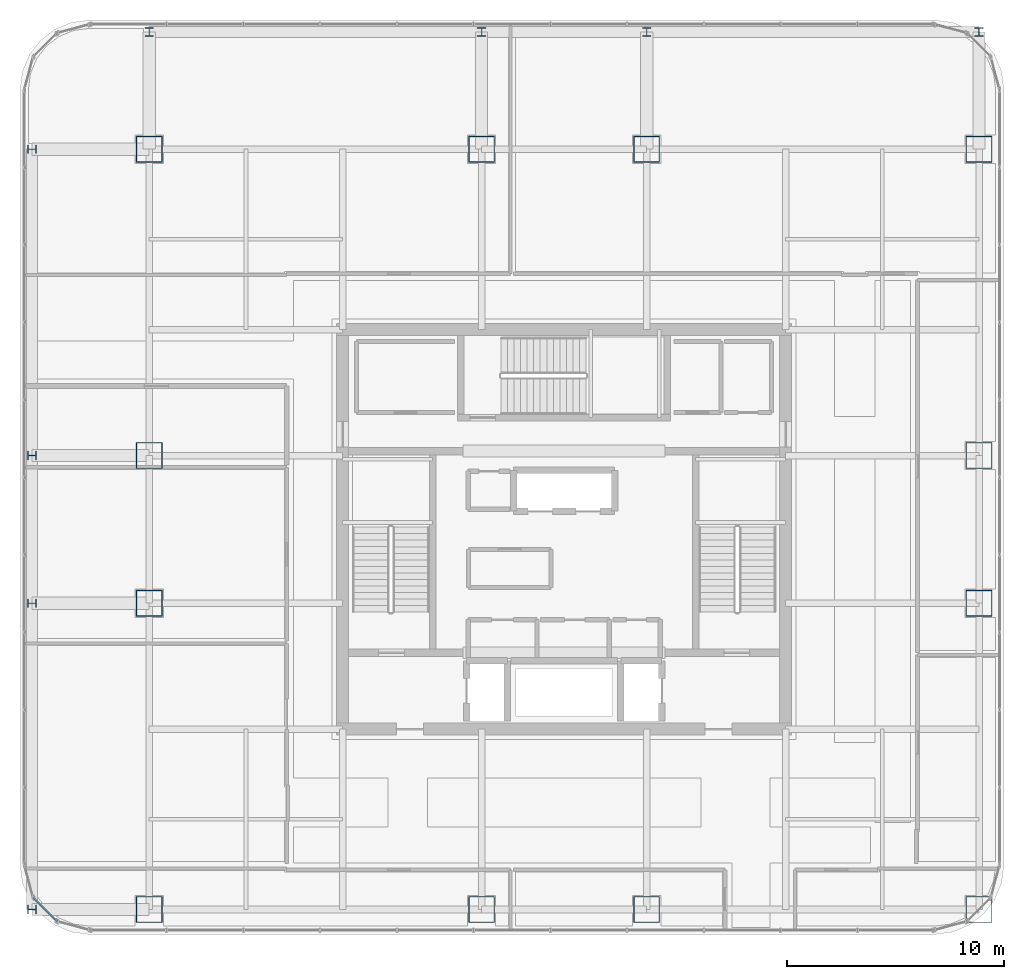
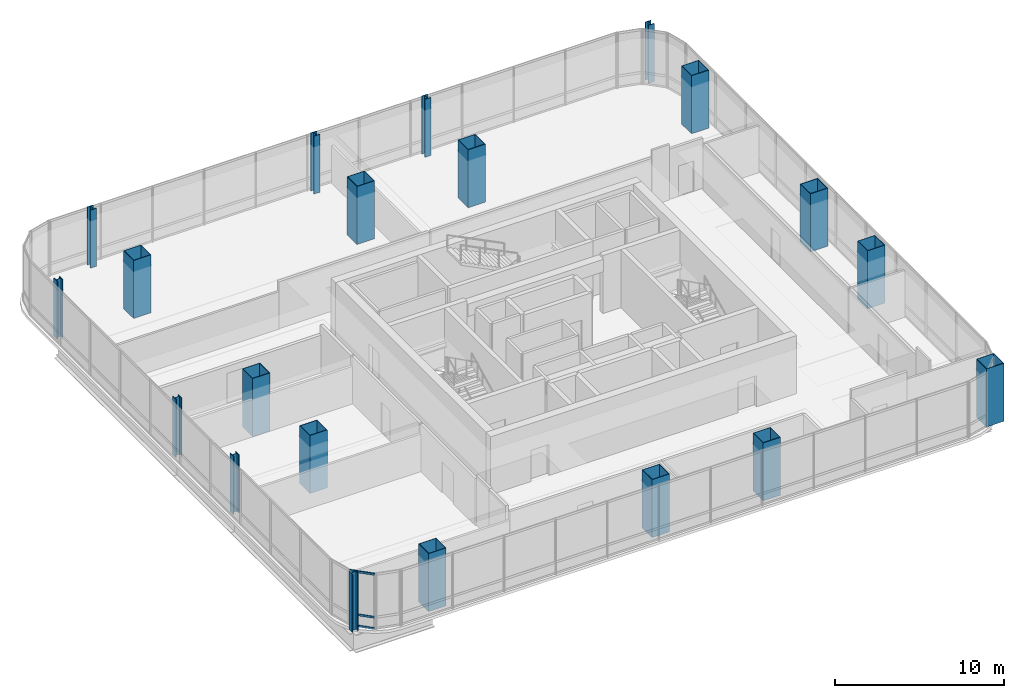
# One storey, part 1 of 41: 20 columns, 3 members, 1 element without a shape of its own.
"""IFC4 building model written with IfcOpenShell, lengths in metres."""

from ifc_helpers import new_model, si_unit, direction, frame, origin, origin_2d, place, context, subcontext, project, spatial, hollow_rectangle, i_section, extrude, material, material_profile, profile_set, type_object, element, aggregate, save


model = new_model("IFC4")

# Units and contexts
model_context = context("Model", 3, precision=1e-05, world=origin(), true_north=direction((0.0, 1.0)))
body_context = subcontext(model_context, "Body", "Model", "MODEL_VIEW")
ifc_project = project(units=[si_unit("LENGTHUNIT", "METRE"), si_unit("AREAUNIT", "SQUARE_METRE"), si_unit("VOLUMEUNIT", "CUBIC_METRE"), si_unit("PLANEANGLEUNIT", "RADIAN"), si_unit("MASSUNIT", "GRAM", prefix="KILO")], contexts=[model_context])

# Site, building, storey
site_placement = place(None, origin())
site = spatial("IfcSite", under=ifc_project, at=site_placement, CompositionType="ELEMENT")
building_placement = place(site_placement, origin())
building = spatial("IfcBuilding", under=site, at=building_placement, Name="Punatoya Terracotta Tower", CompositionType="ELEMENT")
storey_placement = place(building_placement, frame((0.0, 0.0, 309.0)))
storey = spatial("IfcBuildingStorey", under=building, at=storey_placement, Name="L73", CompositionType="ELEMENT", Elevation=309.0)

# Columns
ifc_material_1 = material(Name="Steel S460", Category="steel")
ifc_material_profile_1 = material_profile(ifc_material_1, i_section(OverallWidth=0.406005859375, OverallDepth=0.416015625, WebThickness=0.029052734375, FlangeThickness=0.048095703125, FilletRadius=0.01806640625, at=origin_2d()))
ifc_profile_set_1 = profile_set([ifc_material_profile_1], Name="Steel S460")
column_type_1 = type_object("IfcColumnType", Name="COL-EX-M3", PredefinedType="COLUMN", material=ifc_profile_set_1)
for number, where, z_axis, x_axis, name in (
    (1, (-19.10009765625, 22.89990234375, 0.0), (0.0, 0.0, 1.0), (1.0, 0.0, 0.0), "L73 Exoskeleton Perimeter Column N1"),
    (2, (-3.800048828125, 22.89990234375, 0.0), (0.0, 0.0, 1.0), (1.0, 0.0, 0.0), "L73 Exoskeleton Perimeter Column N2"),
    (3, (3.800048828125, 22.89990234375, 0.0), (0.0, 0.0, 1.0), (1.0, 0.0, 0.0), "L73 Exoskeleton Perimeter Column N3"),
    (4, (19.10009765625, 22.89990234375, 0.0), (0.0, 0.0, 1.0), (1.0, 0.0, 0.0), "L73 Exoskeleton Perimeter Column N4"),
    (5, (-24.5, -17.5, 0.0), (0.0, 0.0, 1.0), (0.0, 1.0, 0.0), "L73 Exoskeleton Perimeter Column W1"),
    (6, (-24.5, -3.39990234375, 0.0), (0.0, 0.0, 1.0), (0.0, 1.0, 0.0), "L73 Exoskeleton Perimeter Column W2"),
    (7, (-24.5, 3.39990234375, 0.0), (0.0, 0.0, 1.0), (0.0, 1.0, 0.0), "L73 Exoskeleton Perimeter Column W3"),
    (8, (-24.5, 17.5, 0.0), (0.0, 0.0, 1.0), (0.0, 1.0, 0.0), "L73 Exoskeleton Perimeter Column W4"),
):
    element("IfcColumn", number, at=place(storey_placement, frame(where, z_axis=z_axis, x_axis=x_axis)), inside=storey, type_object=column_type_1, Name=name, PredefinedType="COLUMN", context=body_context, shape_type="SweptSolid", body=[
        extrude(i_section(OverallWidth=0.406005859375, OverallDepth=0.416015625, WebThickness=0.029052734375, FlangeThickness=0.048095703125, FilletRadius=0.01806640625, at=origin_2d()), origin(), (0.0, 0.0, 1.0), 4.197998046875),
    ])
ifc_material_profile_2 = material_profile(ifc_material_1, hollow_rectangle(XDim=1.199951171875, YDim=1.199951171875, WallThickness=0.034912109375, at=origin_2d()))
ifc_profile_set_2 = profile_set([ifc_material_profile_2], Name="Steel S460")
column_type_2 = type_object("IfcColumnType", Name="COL-MC-Z4", PredefinedType="COLUMN", material=ifc_profile_set_2)
for number, where, z_axis, x_axis, name in (
    (9, (-19.10009765625, -17.5, 0.0), (0.0, 0.0, 1.0), (1.0, 0.0, 0.0), "L73 Composite Mega-Column MC-01 (3-B)"),
    (10, (-3.800048828125, -17.5, 0.0), (0.0, 0.0, 1.0), (1.0, 0.0, 0.0), "L73 Composite Mega-Column MC-02 (5-B)"),
    (11, (3.800048828125, -17.5, 0.0), (0.0, 0.0, 1.0), (1.0, 0.0, 0.0), "L73 Composite Mega-Column MC-03 (7-B)"),
    (12, (19.10009765625, -17.5, 0.0), (0.0, 0.0, 1.0), (1.0, 0.0, 0.0), "L73 Composite Mega-Column MC-04 (9-B)"),
    (13, (19.10009765625, -3.39990234375, 0.0), (0.0, 0.0, 1.0), (1.0, 0.0, 0.0), "L73 Composite Mega-Column MC-05 (9-D)"),
    (14, (19.10009765625, 3.39990234375, 0.0), (0.0, 0.0, 1.0), (1.0, 0.0, 0.0), "L73 Composite Mega-Column MC-06 (9-E)"),
    (15, (19.10009765625, 17.5, 0.0), (0.0, 0.0, 1.0), (1.0, 0.0, 0.0), "L73 Composite Mega-Column MC-07 (9-G)"),
    (16, (3.800048828125, 17.5, 0.0), (0.0, 0.0, 1.0), (1.0, 0.0, 0.0), "L73 Composite Mega-Column MC-08 (7-G)"),
    (17, (-3.800048828125, 17.5, 0.0), (0.0, 0.0, 1.0), (1.0, 0.0, 0.0), "L73 Composite Mega-Column MC-09 (5-G)"),
    (18, (-19.10009765625, 17.5, 0.0), (0.0, 0.0, 1.0), (1.0, 0.0, 0.0), "L73 Composite Mega-Column MC-10 (3-G)"),
    (19, (-19.10009765625, 3.39990234375, 0.0), (0.0, 0.0, 1.0), (1.0, 0.0, 0.0), "L73 Composite Mega-Column MC-11 (3-E)"),
    (20, (-19.10009765625, -3.39990234375, 0.0), (0.0, 0.0, 1.0), (1.0, 0.0, 0.0), "L73 Composite Mega-Column MC-12 (3-D)"),
):
    element("IfcColumn", number, at=place(storey_placement, frame(where, z_axis=z_axis, x_axis=x_axis)), inside=storey, type_object=column_type_2, Name=name, PredefinedType="COLUMN", context=body_context, shape_type="SweptSolid", body=[
        extrude(hollow_rectangle(XDim=1.199951171875, YDim=1.199951171875, WallThickness=0.034912109375, at=origin_2d()), origin(), (0.0, 0.0, 1.0), 4.199951171875),
    ])

# Curtain wall, members
ifc_material_2 = material(Name="Aluminium 6063-T6 + Double Low-E Glass", Category="aluminium")
curtain_wall_type = type_object("IfcCurtainWallType", Name="CW-M3", PredefinedType="NOTDEFINED", material=ifc_material_2)
curtain_wall_placement = place(storey_placement, origin())
curtain_wall = element("IfcCurtainWall", 21, at=curtain_wall_placement, inside=storey, type_object=curtain_wall_type, Name="L73 Curtain Wall CW-L73-CRN15", PredefinedType="NOTDEFINED")
ifc_material_3 = material(Name="Aluminium 6063-T6", Category="aluminium")
ifc_material_profile_3 = material_profile(ifc_material_3, hollow_rectangle(XDim=0.068115234375, YDim=0.14990234375, WallThickness=0.00390625, at=origin_2d()))
ifc_profile_set_3 = profile_set([ifc_material_profile_3], Name="Aluminium 6063-T6")
member_type = type_object("IfcMemberType", Name="CW-TRN-TYP", PredefinedType="USERDEFINED", material=ifc_profile_set_3)
member_1_placement = place(storey_placement, frame((-24.446533203125, -16.94921875, 0.0400390625), z_axis=(0.707106781187, -0.707106781187, 0.0), x_axis=(0.707106781187, 0.707106781187, 0.0)))
member_1 = element("IfcMember", 22, at=member_1_placement, type_object=member_type, Name="CW-L73-CRN15 Transom 1", ObjectType="TRANSOM", PredefinedType="USERDEFINED", context=body_context, shape_type="SweptSolid", body=[
    extrude(hollow_rectangle(XDim=0.068115234375, YDim=0.14990234375, WallThickness=0.00390625, at=origin_2d()), origin(), (0.0, 0.0, 1.0), 1.552001953125),
])
member_2_placement = place(storey_placement, frame((-24.446533203125, -16.94921875, 0.85009765625), z_axis=(0.707106781187, -0.707106781187, 0.0), x_axis=(0.707106781187, 0.707106781187, 0.0)))
member_2 = element("IfcMember", 23, at=member_2_placement, type_object=member_type, Name="CW-L73-CRN15 Transom 2", ObjectType="TRANSOM", PredefinedType="USERDEFINED", context=body_context, shape_type="SweptSolid", body=[
    extrude(hollow_rectangle(XDim=0.068115234375, YDim=0.14990234375, WallThickness=0.00390625, at=origin_2d()), origin(), (0.0, 0.0, 1.0), 1.552001953125),
])
member_3_placement = place(storey_placement, frame((-24.446533203125, -16.94921875, 3.9599609375), z_axis=(0.707106781187, -0.707106781187, 0.0), x_axis=(0.707106781187, 0.707106781187, 0.0)))
member_3 = element("IfcMember", 24, at=member_3_placement, type_object=member_type, Name="CW-L73-CRN15 Transom 3", ObjectType="TRANSOM", PredefinedType="USERDEFINED", context=body_context, shape_type="SweptSolid", body=[
    extrude(hollow_rectangle(XDim=0.068115234375, YDim=0.14990234375, WallThickness=0.00390625, at=origin_2d()), origin(), (0.0, 0.0, 1.0), 1.552001953125),
])
aggregate(curtain_wall, [member_1, member_2, member_3])

save(model, "model.ifc")
